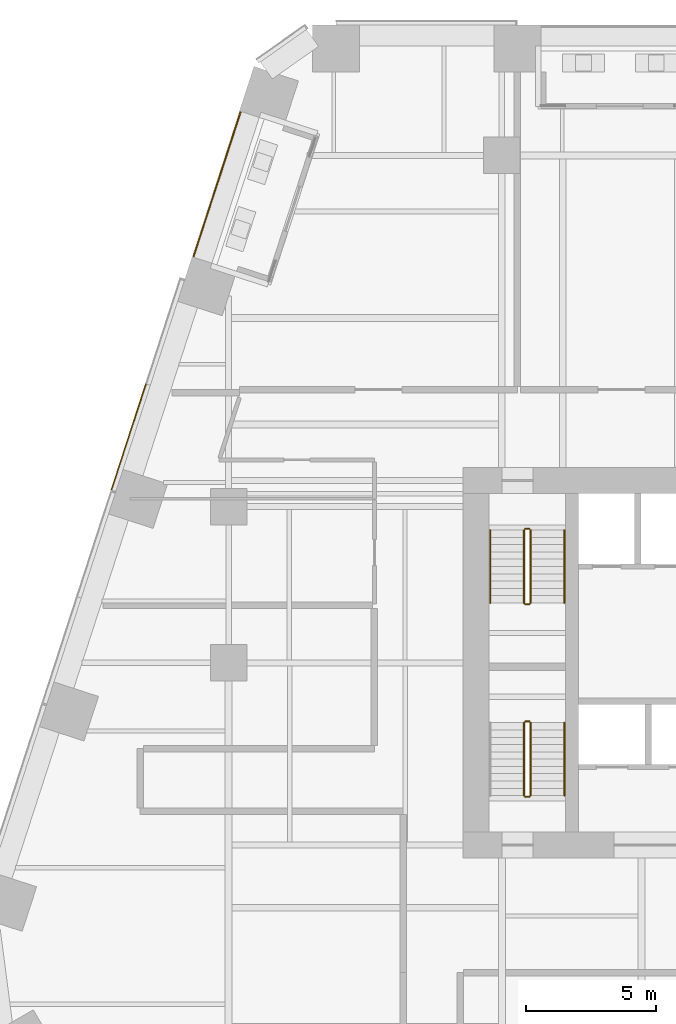
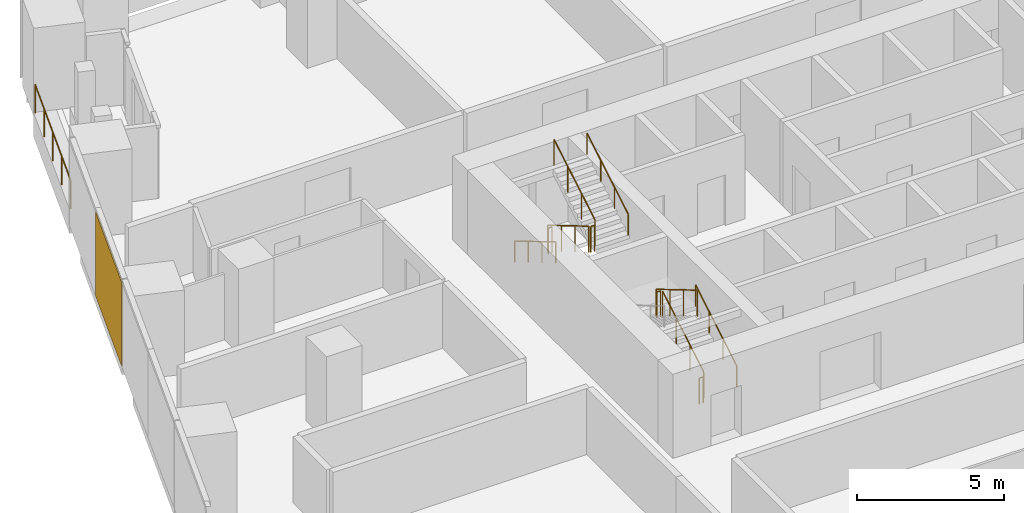
# One storey, part 25 of 28: 12 railings, 1 covering, 1 element without a shape of its own.
"""IFC4 building model written with IfcOpenShell, lengths in metres."""

from ifc_helpers import new_model, si_unit, direction, frame, origin, origin_2d, place, context, subcontext, project, spatial, rectangle, circle, extrude, material, layer, layer_set, type_object, element, aggregate, save


model = new_model("IFC4")

# Units and contexts
model_context = context("Model", 3, precision=1e-05, world=origin(), true_north=direction((0.0, 1.0)))
body_context = subcontext(model_context, "Body", "Model", "MODEL_VIEW")
ifc_project = project(units=[si_unit("LENGTHUNIT", "METRE"), si_unit("AREAUNIT", "SQUARE_METRE"), si_unit("VOLUMEUNIT", "CUBIC_METRE"), si_unit("PLANEANGLEUNIT", "RADIAN"), si_unit("MASSUNIT", "GRAM", prefix="KILO")], contexts=[model_context])

# Site, building, storey
site_placement = place(None, origin())
site = spatial("IfcSite", under=ifc_project, at=site_placement, CompositionType="ELEMENT")
building_placement = place(site_placement, origin())
building = spatial("IfcBuilding", under=site, at=building_placement, Name="Isthmus Gate Tower", CompositionType="ELEMENT")
storey_placement = place(building_placement, frame((0.0, 0.0, 68.85009765625)))
storey = spatial("IfcBuildingStorey", under=building, at=storey_placement, Name="L15", CompositionType="ELEMENT", Elevation=68.85009765625)

# Curtain wall, covering
ifc_material_1 = material(Name="Aluminium, pale champagne anodised", Category="aluminium")
ifc_layer_1 = layer(ifc_material_1, 0.199951171875)
ifc_layer_set_1 = layer_set([ifc_layer_1], Name="CW-1 UNITISED CURTAIN WALL 200 DEEP")
curtain_wall_type = type_object("IfcCurtainWallType", Name="CW-1 UNITISED CURTAIN WALL 200 DEEP", PredefinedType="NOTDEFINED", material=ifc_layer_set_1)
curtain_wall_placement = place(storey_placement, origin())
curtain_wall = element("IfcCurtainWall", 1, at=curtain_wall_placement, inside=storey, type_object=curtain_wall_type, Name="CW-1 NW L15", PredefinedType="NOTDEFINED")
ifc_material_2 = material(Name="Aluminium composite panel, pale champagne anodised", Category="aluminium")
ifc_layer_2 = layer(ifc_material_2, 0.0400390625)
ifc_layer_set_2 = layer_set([ifc_layer_2], Name="CW-1 PALE METAL PANEL 40")
covering_type = type_object("IfcCoveringType", Name="CW-1 PALE METAL PANEL 40", PredefinedType="CLADDING", material=ifc_layer_set_2)
covering_placement = place(storey_placement, frame((-27.84521484375, 16.1748046875, 0.0), z_axis=(0.0, 0.0, 1.0), x_axis=(-0.309016994375, -0.951056516295, 0.0)))
covering = element("IfcCovering", 2, at=covering_placement, type_object=covering_type, Name="CW-1 pale metal panel", PredefinedType="CLADDING", context=body_context, shape_type="SweptSolid", body=[
    extrude(rectangle(XDim=4.294677734375, YDim=0.0400390625, at=origin_2d()), origin(), (0.0, 0.0, 1.0), 3.5),
])
aggregate(curtain_wall, [covering])

# Railings
ifc_material_3 = material(Name="Toughened laminated glass with stainless steel posts", Category="steel")
railing_type_1 = type_object("IfcRailingType", Name="GUARD 1200 FRAMELESS GLASS", PredefinedType="GUARDRAIL", material=ifc_material_3)
railing_1_placement = place(storey_placement, frame((-23.550048828125, 28.649658203125, 0.0)))
element("IfcRailing", 3, at=railing_1_placement, inside=storey, type_object=railing_type_1, Name="LOGGIA GUARD", PredefinedType="GUARDRAIL", context=body_context, shape_type="SweptSolid", body=[
    extrude(circle(Radius=0.02490234375, at=origin_2d()), frame((0.0, 0.0, 1.1748046875), z_axis=(-0.309007200831, -0.951059698355, 0.0), x_axis=(0.951059698355, -0.309007200831, 0.0)), (0.0, 0.0, 1.0), 5.8095703125),
    extrude(circle(Radius=0.02490234375, at=origin_2d()), origin(), (0.0, 0.0, 1.0), 1.14990234375),
    extrude(circle(Radius=0.02490234375, at=origin_2d()), frame((-0.44873046875, -1.38134765625, 0.0)), (0.0, 0.0, 1.0), 1.14990234375),
    extrude(circle(Radius=0.02490234375, at=origin_2d()), frame((-0.8974609375, -2.7626953125, 0.0)), (0.0, 0.0, 1.0), 1.14990234375),
    extrude(circle(Radius=0.02490234375, at=origin_2d()), frame((-1.346435546875, -4.143798828125, 0.0)), (0.0, 0.0, 1.0), 1.14990234375),
    extrude(circle(Radius=0.02490234375, at=origin_2d()), frame((-1.795166015625, -5.525146484375, 0.0)), (0.0, 0.0, 1.0), 1.14990234375),
])
ifc_material_4 = material(Name="Stainless steel balustrade", Category="steel")
railing_type_2 = type_object("IfcRailingType", Name="STAIR GUARD 1100", PredefinedType="GUARDRAIL", material=ifc_material_4)
railing_2_placement = place(storey_placement, frame((-12.64990234375, 12.60009765625, 0.165771484375)))
element("IfcRailing", 4, at=railing_2_placement, inside=storey, type_object=railing_type_2, Name="L15 ST1 stair guard 1", PredefinedType="GUARDRAIL", context=body_context, shape_type="SweptSolid", body=[
    extrude(circle(Radius=0.02392578125, at=origin_2d()), frame((0.0, 0.0, 1.076171875), z_axis=(0.0, -0.860306154799, 0.50977771628), x_axis=(1.0, 0.0, 0.0)), (0.0, 0.0, 1.0), 3.254638671875),
    extrude(circle(Radius=0.02099609375, at=origin_2d()), origin(), (0.0, 0.0, 1.0), 1.052001953125),
    extrude(circle(Radius=0.02099609375, at=origin_2d()), frame((0.0, -0.933349609375, 0.552978515625)), (0.0, 0.0, 1.0), 1.052001953125),
    extrude(circle(Radius=0.02099609375, at=origin_2d()), frame((0.0, -1.86669921875, 1.106201171875)), (0.0, 0.0, 1.0), 1.052001953125),
    extrude(circle(Radius=0.02099609375, at=origin_2d()), frame((0.0, -2.800048828125, 1.6591796875)), (0.0, 0.0, 1.0), 1.052001953125),
])
railing_3_placement = place(storey_placement, frame((-12.60009765625, 9.75, 1.824951171875)))
element("IfcRailing", 5, at=railing_3_placement, inside=storey, type_object=railing_type_2, Name="L15 ST1 stair guard 2", PredefinedType="GUARDRAIL", context=body_context, shape_type="SweptSolid", body=[
    extrude(circle(Radius=0.02392578125, at=origin_2d()), frame((0.0, 0.0, 1.076171875), z_axis=(1.0, 0.0, 0.0), x_axis=(0.0, 1.0, 0.0)), (0.0, 0.0, 1.0), 0.150146484375),
    extrude(circle(Radius=0.02099609375, at=origin_2d()), origin(), (0.0, 0.0, 1.0), 1.052001953125),
    extrude(circle(Radius=0.02099609375, at=origin_2d()), frame((0.150146484375, 0.0, 0.0)), (0.0, 0.0, 1.0), 1.052001953125),
])
railing_4_placement = place(storey_placement, frame((-12.39990234375, 9.800048828125, 1.99072265625)))
element("IfcRailing", 6, at=railing_4_placement, inside=storey, type_object=railing_type_2, Name="L15 ST1 stair guard 3", PredefinedType="GUARDRAIL", context=body_context, shape_type="SweptSolid", body=[
    extrude(circle(Radius=0.02392578125, at=origin_2d()), frame((0.0, 0.0, 1.076171875), z_axis=(0.0, 0.860306154799, 0.50977771628), x_axis=(-1.0, 0.0, 0.0)), (0.0, 0.0, 1.0), 3.254638671875),
    extrude(circle(Radius=0.02099609375, at=origin_2d()), origin(), (0.0, 0.0, 1.0), 1.052001953125),
    extrude(circle(Radius=0.02099609375, at=origin_2d()), frame((0.0, 0.933349609375, 0.552978515625)), (0.0, 0.0, 1.0), 1.052001953125),
    extrude(circle(Radius=0.02099609375, at=origin_2d()), frame((0.0, 1.86669921875, 1.106201171875)), (0.0, 0.0, 1.0), 1.052001953125),
    extrude(circle(Radius=0.02099609375, at=origin_2d()), frame((0.0, 2.800048828125, 1.6591796875)), (0.0, 0.0, 1.0), 1.052001953125),
])
railing_5_placement = place(storey_placement, frame((-12.60009765625, 12.64990234375, 0.0)))
element("IfcRailing", 7, at=railing_5_placement, inside=storey, type_object=railing_type_2, Name="L15 ST1 stair guard 4", PredefinedType="GUARDRAIL", context=body_context, shape_type="SweptSolid", body=[
    extrude(circle(Radius=0.02392578125, at=origin_2d()), frame((0.0, 0.0, 1.076171875), z_axis=(1.0, 0.0, 0.0), x_axis=(0.0, 1.0, 0.0)), (0.0, 0.0, 1.0), 0.150146484375),
    extrude(circle(Radius=0.02099609375, at=origin_2d()), origin(), (0.0, 0.0, 1.0), 1.052001953125),
    extrude(circle(Radius=0.02099609375, at=origin_2d()), frame((0.150146484375, 0.0, 0.0)), (0.0, 0.0, 1.0), 1.052001953125),
])
railing_6_placement = place(storey_placement, frame((-12.39990234375, 2.39990234375, 0.165771484375)))
element("IfcRailing", 8, at=railing_6_placement, inside=storey, type_object=railing_type_2, Name="L15 ST7 stair guard 1", PredefinedType="GUARDRAIL", context=body_context, shape_type="SweptSolid", body=[
    extrude(circle(Radius=0.02392578125, at=origin_2d()), frame((0.0, 0.0, 1.076171875), z_axis=(0.0, 0.860306154799, 0.50977771628), x_axis=(-1.0, 0.0, 0.0)), (0.0, 0.0, 1.0), 3.254638671875),
    extrude(circle(Radius=0.02099609375, at=origin_2d()), origin(), (0.0, 0.0, 1.0), 1.052001953125),
    extrude(circle(Radius=0.02099609375, at=origin_2d()), frame((0.0, 0.933349609375, 0.552978515625)), (0.0, 0.0, 1.0), 1.052001953125),
    extrude(circle(Radius=0.02099609375, at=origin_2d()), frame((0.0, 1.86669921875, 1.106201171875)), (0.0, 0.0, 1.0), 1.052001953125),
    extrude(circle(Radius=0.02099609375, at=origin_2d()), frame((0.0, 2.800048828125, 1.6591796875)), (0.0, 0.0, 1.0), 1.052001953125),
])
railing_7_placement = place(storey_placement, frame((-12.449951171875, 5.25, 1.824951171875)))
element("IfcRailing", 9, at=railing_7_placement, inside=storey, type_object=railing_type_2, Name="L15 ST7 stair guard 2", PredefinedType="GUARDRAIL", context=body_context, shape_type="SweptSolid", body=[
    extrude(circle(Radius=0.02392578125, at=origin_2d()), frame((0.0, 0.0, 1.076171875), z_axis=(-1.0, 0.0, 0.0), x_axis=(0.0, -1.0, 0.0)), (0.0, 0.0, 1.0), 0.150146484375),
    extrude(circle(Radius=0.02099609375, at=origin_2d()), origin(), (0.0, 0.0, 1.0), 1.052001953125),
    extrude(circle(Radius=0.02099609375, at=origin_2d()), frame((-0.150146484375, 0.0, 0.0)), (0.0, 0.0, 1.0), 1.052001953125),
])
railing_8_placement = place(storey_placement, frame((-12.64990234375, 5.199951171875, 1.99072265625)))
element("IfcRailing", 10, at=railing_8_placement, inside=storey, type_object=railing_type_2, Name="L15 ST7 stair guard 3", PredefinedType="GUARDRAIL", context=body_context, shape_type="SweptSolid", body=[
    extrude(circle(Radius=0.02392578125, at=origin_2d()), frame((0.0, 0.0, 1.076171875), z_axis=(0.0, -0.860306154799, 0.50977771628), x_axis=(1.0, 0.0, 0.0)), (0.0, 0.0, 1.0), 3.254638671875),
    extrude(circle(Radius=0.02099609375, at=origin_2d()), origin(), (0.0, 0.0, 1.0), 1.052001953125),
    extrude(circle(Radius=0.02099609375, at=origin_2d()), frame((0.0, -0.933349609375, 0.552978515625)), (0.0, 0.0, 1.0), 1.052001953125),
    extrude(circle(Radius=0.02099609375, at=origin_2d()), frame((0.0, -1.86669921875, 1.106201171875)), (0.0, 0.0, 1.0), 1.052001953125),
    extrude(circle(Radius=0.02099609375, at=origin_2d()), frame((0.0, -2.800048828125, 1.6591796875)), (0.0, 0.0, 1.0), 1.052001953125),
])
railing_9_placement = place(storey_placement, frame((-12.449951171875, 2.35009765625, 0.0)))
element("IfcRailing", 11, at=railing_9_placement, inside=storey, type_object=railing_type_2, Name="L15 ST7 stair guard 4", PredefinedType="GUARDRAIL", context=body_context, shape_type="SweptSolid", body=[
    extrude(circle(Radius=0.02392578125, at=origin_2d()), frame((0.0, 0.0, 1.076171875), z_axis=(-1.0, 0.0, 0.0), x_axis=(0.0, -1.0, 0.0)), (0.0, 0.0, 1.0), 0.150146484375),
    extrude(circle(Radius=0.02099609375, at=origin_2d()), origin(), (0.0, 0.0, 1.0), 1.052001953125),
    extrude(circle(Radius=0.02099609375, at=origin_2d()), frame((-0.150146484375, 0.0, 0.0)), (0.0, 0.0, 1.0), 1.052001953125),
])
ifc_material_5 = material(Name="Stainless steel handrail", Category="steel")
railing_type_3 = type_object("IfcRailingType", Name="STAIR HANDRAIL 900", PredefinedType="HANDRAIL", material=ifc_material_5)
railing_10_placement = place(storey_placement, frame((-13.949951171875, 12.60009765625, 0.165771484375)))
element("IfcRailing", 12, at=railing_10_placement, inside=storey, type_object=railing_type_3, Name="L15 ST1 stair handrail 1", PredefinedType="HANDRAIL", context=body_context, shape_type="SweptSolid", body=[
    extrude(circle(Radius=0.02392578125, at=origin_2d()), frame((0.0, 0.0, 0.8759765625), z_axis=(0.0, -0.860306154799, 0.50977771628), x_axis=(1.0, 0.0, 0.0)), (0.0, 0.0, 1.0), 3.254638671875),
    extrude(circle(Radius=0.02099609375, at=origin_2d()), origin(), (0.0, 0.0, 1.0), 0.851806640625),
    extrude(circle(Radius=0.02099609375, at=origin_2d()), frame((0.0, -0.933349609375, 0.552978515625)), (0.0, 0.0, 1.0), 0.851806640625),
    extrude(circle(Radius=0.02099609375, at=origin_2d()), frame((0.0, -1.86669921875, 1.106201171875)), (0.0, 0.0, 1.0), 0.851806640625),
    extrude(circle(Radius=0.02099609375, at=origin_2d()), frame((0.0, -2.800048828125, 1.6591796875)), (0.0, 0.0, 1.0), 0.851806640625),
])
for number, where, name in (
    (13, (-11.10009765625, 9.800048828125, 1.99072265625), "L15 ST1 stair handrail 2"),
    (14, (-11.10009765625, 2.39990234375, 0.165771484375), "L15 ST7 stair handrail 1"),
):
    element("IfcRailing", number, at=place(storey_placement, frame(where)), inside=storey, type_object=railing_type_3, Name=name, PredefinedType="HANDRAIL", context=body_context, shape_type="SweptSolid", body=[
        extrude(circle(Radius=0.02392578125, at=origin_2d()), frame((0.0, 0.0, 0.8759765625), z_axis=(0.0, 0.860306154799, 0.50977771628), x_axis=(-1.0, 0.0, 0.0)), (0.0, 0.0, 1.0), 3.254638671875),
        extrude(circle(Radius=0.02099609375, at=origin_2d()), origin(), (0.0, 0.0, 1.0), 0.851806640625),
        extrude(circle(Radius=0.02099609375, at=origin_2d()), frame((0.0, 0.933349609375, 0.552978515625)), (0.0, 0.0, 1.0), 0.851806640625),
        extrude(circle(Radius=0.02099609375, at=origin_2d()), frame((0.0, 1.86669921875, 1.106201171875)), (0.0, 0.0, 1.0), 0.851806640625),
        extrude(circle(Radius=0.02099609375, at=origin_2d()), frame((0.0, 2.800048828125, 1.6591796875)), (0.0, 0.0, 1.0), 0.851806640625),
    ])

save(model, "model.ifc")
